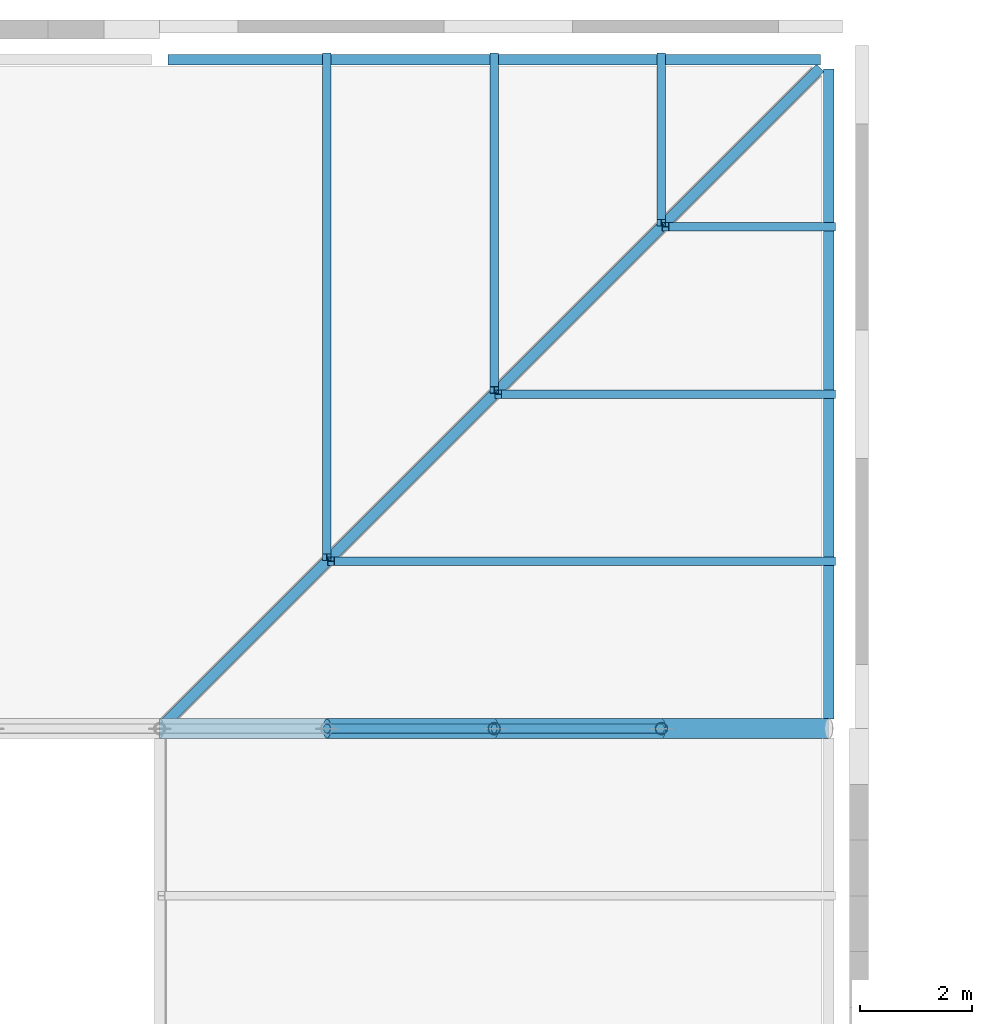
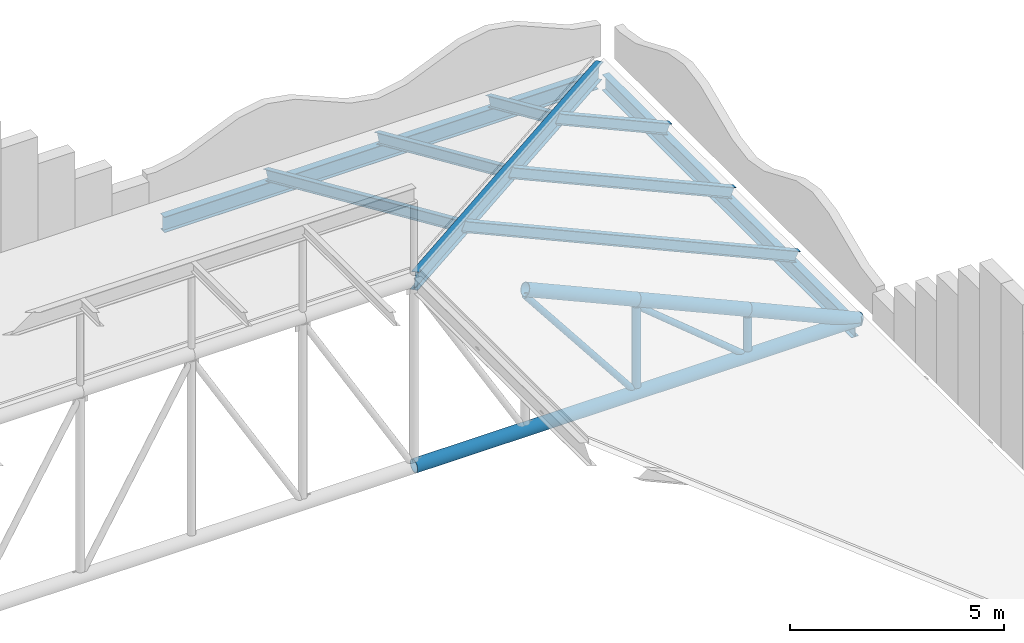
# One storey, part 232 of 321: 14 members, 3 beams.
"""IFC4 building model written with IfcOpenShell, lengths in metres."""

from ifc_helpers import new_model, si_unit, direction, frame, origin, origin_2d, place, context, subcontext, project, spatial, hollow_circle, i_section, extrude, material, material_profile, profile_set, type_object, element, save


model = new_model("IFC4")

# Units and contexts
model_context = context("Model", 3, precision=1e-05, world=origin(), true_north=direction((0.0, 1.0)))
body_context = subcontext(model_context, "Body", "Model", "MODEL_VIEW")
ifc_project = project(units=[si_unit("LENGTHUNIT", "METRE"), si_unit("AREAUNIT", "SQUARE_METRE"), si_unit("VOLUMEUNIT", "CUBIC_METRE"), si_unit("PLANEANGLEUNIT", "RADIAN"), si_unit("MASSUNIT", "GRAM", prefix="KILO")], contexts=[model_context])

# Site, building, storey
site_placement = place(None, origin())
site = spatial("IfcSite", under=ifc_project, at=site_placement, CompositionType="ELEMENT")
building_placement = place(site_placement, origin())
building = spatial("IfcBuilding", under=site, at=building_placement, Name="Ravi Spectrum Wholesale Market", CompositionType="ELEMENT")
storey_placement = place(building_placement, frame((0.0, 0.0, 10.800048828125)))
storey = spatial("IfcBuildingStorey", under=building, at=storey_placement, Name="L02", CompositionType="ELEMENT", Elevation=10.800048828125)

# Members
ifc_material_1 = material(Name="Steel S355", Category="steel")
ifc_material_profile_1 = material_profile(ifc_material_1, hollow_circle(Radius=0.084228515625, WallThickness=0.00634765625, at=origin_2d()))
ifc_profile_set_1 = profile_set([ifc_material_profile_1], Name="Steel S355")
member_type_1 = type_object("IfcMemberType", Name="CHS 168.3x6.3 brace", PredefinedType="BRACE", material=ifc_profile_set_1)
member_1_placement = place(storey_placement, frame((192.0, 222.0, 0.177734375), z_axis=(-0.618488198305, 0.0, 0.785794087886), x_axis=(0.0, -1.0, 0.0)))
element("IfcMember", 1, at=member_1_placement, inside=storey, type_object=member_type_1, Name="AU-MB-L02-035", PredefinedType="BRACE", context=body_context, shape_type="SweptSolid", body=[
    extrude(hollow_circle(Radius=0.084228515625, WallThickness=0.00634765625, at=origin_2d()), origin(), (0.0, 0.0, 1.0), 4.8505859375),
])
member_2_placement = place(storey_placement, frame((195.0, 222.0, 0.177734375), z_axis=(-0.771176073964, 0.0, 0.636621915226), x_axis=(0.0, -1.0, 0.0)))
element("IfcMember", 2, at=member_2_placement, inside=storey, type_object=member_type_1, Name="AU-MB-L02-036", PredefinedType="BRACE", context=body_context, shape_type="SweptSolid", body=[
    extrude(hollow_circle(Radius=0.084228515625, WallThickness=0.00634765625, at=origin_2d()), origin(), (0.0, 0.0, 1.0), 3.89013671875),
])
ifc_material_2 = material(Name="Steel S355", Category="steel")
ifc_material_profile_2 = material_profile(ifc_material_2, hollow_circle(Radius=0.109619140625, WallThickness=0.008056640625, at=origin_2d()))
ifc_profile_set_2 = profile_set([ifc_material_profile_2], Name="Steel S355")
member_type_2 = type_object("IfcMemberType", Name="CHS 219.1x8 post", PredefinedType="POST", material=ifc_profile_set_2)
member_3_placement = place(storey_placement, frame((192.0, 222.0, 0.35546875), z_axis=(0.0, 0.0, 1.0), x_axis=(1.0, 0.0, 0.0)))
element("IfcMember", 3, at=member_3_placement, inside=storey, type_object=member_type_2, Name="AU-MB-L02-025", PredefinedType="POST", context=body_context, shape_type="SweptSolid", body=[
    extrude(hollow_circle(Radius=0.109619140625, WallThickness=0.008056640625, at=origin_2d()), origin(), (0.0, 0.0, 1.0), 2.298828125),
])
member_4_placement = place(storey_placement, frame((195.0, 222.0, 0.35546875), z_axis=(0.0, 0.0, 1.0), x_axis=(1.0, 0.0, 0.0)))
element("IfcMember", 4, at=member_4_placement, inside=storey, type_object=member_type_2, Name="AU-MB-L02-026", PredefinedType="POST", context=body_context, shape_type="SweptSolid", body=[
    extrude(hollow_circle(Radius=0.109619140625, WallThickness=0.008056640625, at=origin_2d()), origin(), (0.0, 0.0, 1.0), 0.963623046875),
])
ifc_material_3 = material(Name="Steel S355", Category="steel")
ifc_material_profile_3 = material_profile(ifc_material_3, hollow_circle(Radius=0.177734375, WallThickness=0.012451171875, at=origin_2d()))
ifc_profile_set_3 = profile_set([ifc_material_profile_3], Name="Steel S355")
member_type_3 = type_object("IfcMemberType", Name="CHS 355.6x12.5 chord", PredefinedType="CHORD", material=ifc_profile_set_3)
member_5_placement = place(storey_placement, frame((186.0, 222.0, 0.177734375), z_axis=(1.0, 0.0, 0.0), x_axis=(0.0, 1.0, 0.0)))
element("IfcMember", 5, at=member_5_placement, inside=storey, type_object=member_type_3, Name="AU-MB-L02-003", PredefinedType="CHORD", context=body_context, shape_type="SweptSolid", body=[
    extrude(hollow_circle(Radius=0.177734375, WallThickness=0.012451171875, at=origin_2d()), origin(), (0.0, 0.0, 1.0), 12.0),
])
for number, where, z_axis, x_axis, name in (
    (6, (189.0, 222.0, 4.1669921875), (0.913627493157, 0.0, -0.406552338264), (0.0, 1.0, 0.0), "AU-MB-L02-013"),
    (7, (192.0, 222.0, 2.83203125), (0.91359987507, 0.0, -0.406614397522), (0.0, 1.0, 0.0), "AU-MB-L02-014"),
    (8, (195.0, 222.0, 1.496826171875), (0.913627493157, 0.0, -0.406552338264), (0.0, 1.0, 0.0), "AU-MB-L02-015"),
):
    element("IfcMember", number, at=place(storey_placement, frame(where, z_axis=z_axis, x_axis=x_axis)), inside=storey, type_object=member_type_3, Name=name, PredefinedType="CHORD", context=body_context, shape_type="SweptSolid", body=[
        extrude(hollow_circle(Radius=0.177734375, WallThickness=0.012451171875, at=origin_2d()), origin(), (0.0, 0.0, 1.0), 3.28369140625),
    ])
ifc_material_4 = material(Name="Steel S355", Category="steel")
ifc_material_profile_4 = material_profile(ifc_material_4, i_section(OverallWidth=0.14990234375, OverallDepth=0.300048828125, WebThickness=0.007080078125, FlangeThickness=0.0107421875, at=origin_2d()))
ifc_profile_set_4 = profile_set([ifc_material_profile_4], Name="Steel S355")
member_type_4 = type_object("IfcMemberType", Name="IPE 300 rafter", PredefinedType="RAFTER", material=ifc_profile_set_4)
member_6_placement = place(storey_placement, frame((198.06103515625, 225.0, 0.136962890625), z_axis=(-0.913615976302, 0.0, 0.406578218606), x_axis=(0.0, -1.0, 0.0)))
element("IfcMember", 9, at=member_6_placement, inside=storey, type_object=member_type_4, Name="AU-MB-L02-050", PredefinedType="RAFTER", context=body_context, shape_type="SweptSolid", body=[
    extrude(i_section(OverallWidth=0.14990234375, OverallDepth=0.300048828125, WebThickness=0.007080078125, FlangeThickness=0.0107421875, at=origin_2d()), origin(), (0.0, 0.0, 1.0), 9.837646484375),
])
member_7_placement = place(storey_placement, frame((198.06103515625, 228.0, 0.136962890625), z_axis=(-0.913624043006, 0.0, 0.40656009155), x_axis=(0.0, -1.0, 0.0)))
element("IfcMember", 10, at=member_7_placement, inside=storey, type_object=member_type_4, Name="AU-MB-L02-052", PredefinedType="RAFTER", context=body_context, shape_type="SweptSolid", body=[
    extrude(i_section(OverallWidth=0.14990234375, OverallDepth=0.300048828125, WebThickness=0.007080078125, FlangeThickness=0.0107421875, at=origin_2d()), origin(), (0.0, 0.0, 1.0), 6.553955078125),
])
member_8_placement = place(storey_placement, frame((198.06103515625, 231.0, 0.136962890625), z_axis=(-0.913620578719, 0.0, 0.406567876426), x_axis=(0.0, -1.0, 0.0)))
element("IfcMember", 11, at=member_8_placement, inside=storey, type_object=member_type_4, Name="AU-MB-L02-054", PredefinedType="RAFTER", context=body_context, shape_type="SweptSolid", body=[
    extrude(i_section(OverallWidth=0.14990234375, OverallDepth=0.300048828125, WebThickness=0.007080078125, FlangeThickness=0.0107421875, at=origin_2d()), origin(), (0.0, 0.0, 1.0), 3.270263671875),
])
member_9_placement = place(storey_placement, frame((189.0, 234.06103515625, 0.136962890625), z_axis=(0.0, -0.913615976302, 0.406578218606), x_axis=(1.0, 0.0, 0.0)))
element("IfcMember", 12, at=member_9_placement, inside=storey, type_object=member_type_4, Name="AU-MB-L02-068", PredefinedType="RAFTER", context=body_context, shape_type="SweptSolid", body=[
    extrude(i_section(OverallWidth=0.14990234375, OverallDepth=0.300048828125, WebThickness=0.007080078125, FlangeThickness=0.0107421875, at=origin_2d()), origin(), (0.0, 0.0, 1.0), 9.837646484375),
])
member_10_placement = place(storey_placement, frame((192.0, 234.06103515625, 0.136962890625), z_axis=(0.0, -0.913624043006, 0.40656009155), x_axis=(1.0, 0.0, 0.0)))
element("IfcMember", 13, at=member_10_placement, inside=storey, type_object=member_type_4, Name="AU-MB-L02-070", PredefinedType="RAFTER", context=body_context, shape_type="SweptSolid", body=[
    extrude(i_section(OverallWidth=0.14990234375, OverallDepth=0.300048828125, WebThickness=0.007080078125, FlangeThickness=0.0107421875, at=origin_2d()), origin(), (0.0, 0.0, 1.0), 6.553955078125),
])
member_11_placement = place(storey_placement, frame((195.0, 234.06103515625, 0.136962890625), z_axis=(0.0, -0.913620578719, 0.406567876426), x_axis=(1.0, 0.0, 0.0)))
element("IfcMember", 14, at=member_11_placement, inside=storey, type_object=member_type_4, Name="AU-MB-L02-072", PredefinedType="RAFTER", context=body_context, shape_type="SweptSolid", body=[
    extrude(i_section(OverallWidth=0.14990234375, OverallDepth=0.300048828125, WebThickness=0.007080078125, FlangeThickness=0.0107421875, at=origin_2d()), origin(), (0.0, 0.0, 1.0), 3.270263671875),
])

# Beams
ifc_material_5 = material(Name="Steel S355", Category="steel")
ifc_material_profile_5 = material_profile(ifc_material_5, i_section(OverallWidth=0.18994140625, OverallDepth=0.449951171875, WebThickness=0.009521484375, FlangeThickness=0.0146484375, at=origin_2d()))
ifc_profile_set_5 = profile_set([ifc_material_profile_5], Name="Steel S355")
beam_type = type_object("IfcBeamType", Name="IPE 450 girder", PredefinedType="BEAM", material=ifc_profile_set_5)
beam_1_placement = place(storey_placement, frame((186.14990234375, 234.0, -0.22509765625), z_axis=(1.0, 0.0, 0.0), x_axis=(0.0, 1.0, 0.0)))
element("IfcBeam", 15, at=beam_1_placement, inside=storey, type_object=beam_type, Name="AU-BM-L02-006", PredefinedType="BEAM", context=body_context, shape_type="SweptSolid", body=[
    extrude(i_section(OverallWidth=0.18994140625, OverallDepth=0.449951171875, WebThickness=0.009521484375, FlangeThickness=0.0146484375, at=origin_2d()), origin(), (0.0, 0.0, 1.0), 11.7001953125),
])
beam_2_placement = place(storey_placement, frame((198.0, 222.169921875, -0.22509765625), z_axis=(0.0, 1.0, 0.0), x_axis=(-1.0, 0.0, 0.0)))
element("IfcBeam", 16, at=beam_2_placement, inside=storey, type_object=beam_type, Name="AU-BM-L02-015", PredefinedType="BEAM", context=body_context, shape_type="SweptSolid", body=[
    extrude(i_section(OverallWidth=0.18994140625, OverallDepth=0.449951171875, WebThickness=0.009521484375, FlangeThickness=0.0146484375, at=origin_2d()), origin(), (0.0, 0.0, 1.0), 11.66015625),
])
beam_3_placement = place(storey_placement, frame((197.80224609375, 233.80224609375, 0.180419921875), z_axis=(-0.674499456872, -0.674499456872, 0.300168228429), x_axis=(0.707106781187, -0.707106781187, 0.0)))
element("IfcBeam", 17, at=beam_3_placement, inside=storey, type_object=beam_type, Name="AU-BM-L02-018", PredefinedType="BEAM", context=body_context, shape_type="SweptSolid", body=[
    extrude(i_section(OverallWidth=0.18994140625, OverallDepth=0.449951171875, WebThickness=0.009521484375, FlangeThickness=0.0146484375, at=origin_2d()), origin(), (0.0, 0.0, 1.0), 17.427490234375),
])

save(model, "model.ifc")
